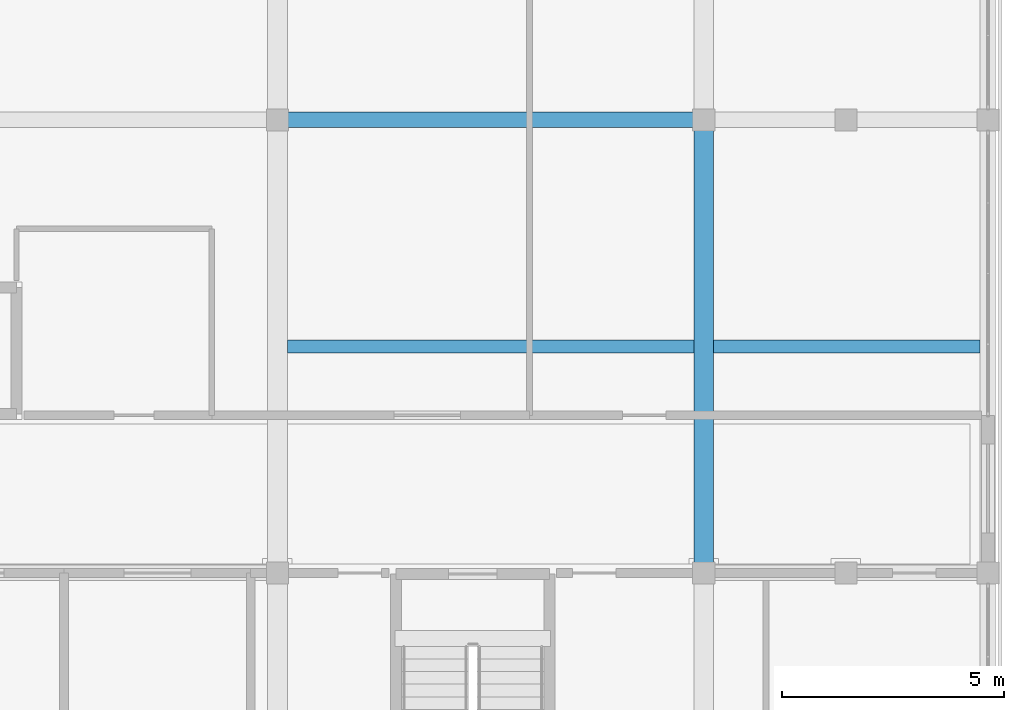
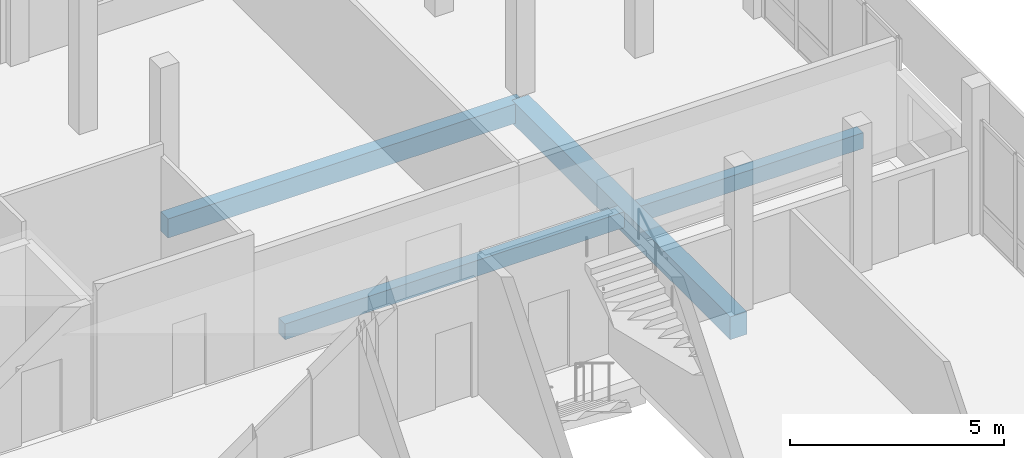
# One storey, part 12 of 29: 4 beams.
"""IFC4 building model written with IfcOpenShell, lengths in metres."""

from ifc_helpers import new_model, si_unit, direction, frame, origin, origin_2d, place, context, subcontext, project, spatial, rectangle, extrude, material, material_profile, profile_set, type_object, element, save


model = new_model("IFC4")

# Units and contexts
model_context = context("Model", 3, precision=1e-05, world=origin(), true_north=direction((0.0, 1.0)))
body_context = subcontext(model_context, "Body", "Model", "MODEL_VIEW")
ifc_project = project(units=[si_unit("LENGTHUNIT", "METRE"), si_unit("AREAUNIT", "SQUARE_METRE"), si_unit("VOLUMEUNIT", "CUBIC_METRE"), si_unit("PLANEANGLEUNIT", "RADIAN"), si_unit("MASSUNIT", "GRAM", prefix="KILO")], contexts=[model_context])

# Site, building, storey
site_placement = place(None, origin())
site = spatial("IfcSite", under=ifc_project, at=site_placement, CompositionType="ELEMENT")
building_placement = place(site_placement, origin())
building = spatial("IfcBuilding", under=site, at=building_placement, Name="Vondelvale Polytechnic", CompositionType="ELEMENT")
storey_placement = place(building_placement, frame((0.0, 0.0, 26.39990234375)))
storey = spatial("IfcBuildingStorey", under=building, at=storey_placement, Name="L06", CompositionType="ELEMENT", Elevation=26.39990234375)

# Beams
ifc_material = material(Name="Concrete N40 (f'c = 40 MPa)", Category="concrete")
ifc_material_profile_1 = material_profile(ifc_material, rectangle(XDim=0.35009765625, YDim=0.550048828125, at=origin_2d()), Name="RC-BM-350x550")
ifc_profile_set_1 = profile_set([ifc_material_profile_1], Name="Concrete N40 (f'c = 40 MPa)")
beam_type_1 = type_object("IfcBeamType", Name="BM-RC350x550", PredefinedType="BEAM", material=ifc_profile_set_1)
beam_1_placement = place(storey_placement, frame((28.800048828125, 30.60009765625, -0.5), z_axis=(1.0, 0.0, 0.0), x_axis=(0.0, 1.0, 0.0)))
element("IfcBeam", 1, at=beam_1_placement, inside=storey, type_object=beam_type_1, Name="L06 B B-06", PredefinedType="BEAM", context=body_context, shape_type="SweptSolid", body=[
    extrude(rectangle(XDim=0.35009765625, YDim=0.550048828125, at=origin_2d()), origin(), (0.0, 0.0, 1.0), 9.599853515625),
])
ifc_material_profile_2 = material_profile(ifc_material, rectangle(XDim=0.449951171875, YDim=0.64990234375, at=origin_2d()), Name="RC-BM-450x650")
ifc_profile_set_2 = profile_set([ifc_material_profile_2], Name="Concrete N40 (f'c = 40 MPa)")
beam_type_2 = type_object("IfcBeamType", Name="BM-RC450x650", PredefinedType="BEAM", material=ifc_profile_set_2)
beam_2_placement = place(storey_placement, frame((38.39990234375, 20.39990234375, -0.5498046875), z_axis=(0.0, 1.0, 0.0), x_axis=(-1.0, 0.0, 0.0)))
element("IfcBeam", 2, at=beam_2_placement, inside=storey, type_object=beam_type_2, Name="L06 B B-04", PredefinedType="BEAM", context=body_context, shape_type="SweptSolid", body=[
    extrude(rectangle(XDim=0.449951171875, YDim=0.64990234375, at=origin_2d()), origin(), (0.0, 0.0, 1.0), 10.2001953125),
])
ifc_material_profile_3 = material_profile(ifc_material, rectangle(XDim=0.300048828125, YDim=0.449951171875, at=origin_2d()), Name="RC-JST-300x450")
ifc_profile_set_3 = profile_set([ifc_material_profile_3], Name="Concrete N40 (f'c = 40 MPa)")
beam_type_3 = type_object("IfcBeamType", Name="JST-RC300x450", PredefinedType="JOIST", material=ifc_profile_set_3)
beam_3_placement = place(storey_placement, frame((29.02490234375, 25.5, -0.449951171875), z_axis=(1.0, 0.0, 0.0), x_axis=(0.0, 1.0, 0.0)))
element("IfcBeam", 3, at=beam_3_placement, inside=storey, type_object=beam_type_3, Name="L06 J J-03", PredefinedType="JOIST", context=body_context, shape_type="SweptSolid", body=[
    extrude(rectangle(XDim=0.300048828125, YDim=0.449951171875, at=origin_2d()), origin(), (0.0, 0.0, 1.0), 9.150146484375),
])
beam_4_placement = place(storey_placement, frame((38.625, 25.5, -0.449951171875), z_axis=(1.0, 0.0, 0.0), x_axis=(0.0, 1.0, 0.0)))
element("IfcBeam", 4, at=beam_4_placement, inside=storey, type_object=beam_type_3, Name="L06 J J-03", PredefinedType="JOIST", context=body_context, shape_type="SweptSolid", body=[
    extrude(rectangle(XDim=0.300048828125, YDim=0.449951171875, at=origin_2d()), origin(), (0.0, 0.0, 1.0), 6.0),
])

save(model, "model.ifc")
